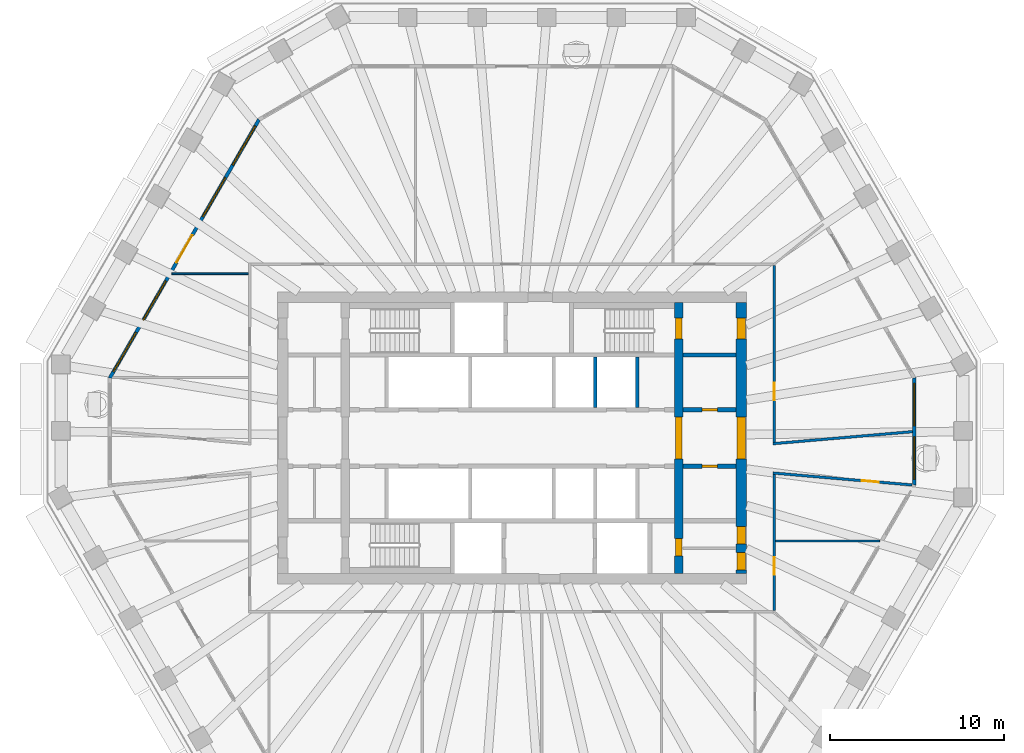
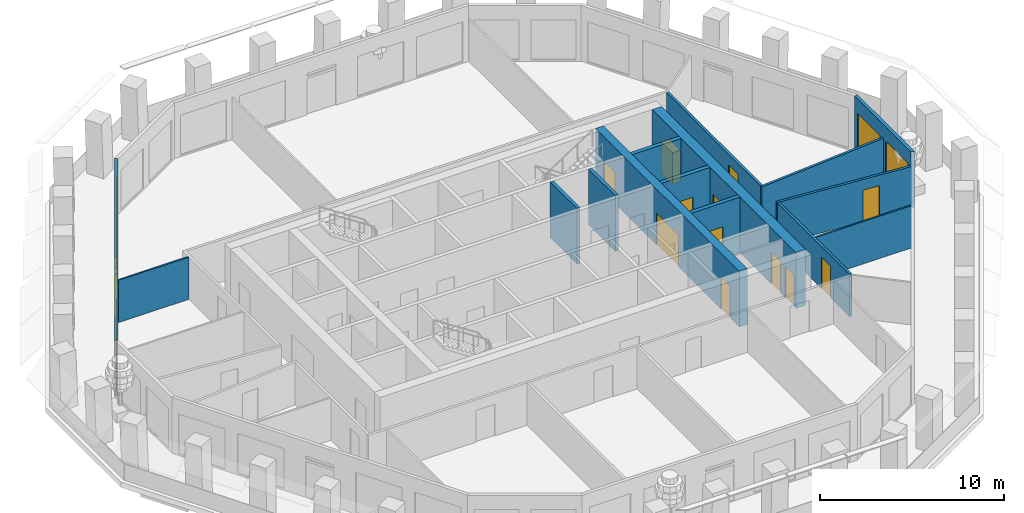
# One storey, part 6 of 12: 15 walls, 13 doors, 7 windows, 20 openings.
"""IFC4 building model written with IfcOpenShell, lengths in metres."""

from ifc_helpers import new_model, si_unit, direction, frame, frame_2d, origin, place, context, subcontext, project, spatial, polyline, rectangle, outline, extrude, material, layer, layer_set, type_object, element, fill, save


model = new_model("IFC4")

# Units and contexts
model_context = context("Model", 3, precision=1e-05, world=origin(), true_north=direction((0.0, 1.0)))
body_context = subcontext(model_context, "Body", "Model", "MODEL_VIEW")
ifc_project = project(units=[si_unit("LENGTHUNIT", "METRE"), si_unit("AREAUNIT", "SQUARE_METRE"), si_unit("VOLUMEUNIT", "CUBIC_METRE"), si_unit("PLANEANGLEUNIT", "RADIAN"), si_unit("MASSUNIT", "GRAM", prefix="KILO")], contexts=[model_context])

# Site, building, storey
site_placement = place(None, origin())
site = spatial("IfcSite", under=ifc_project, at=site_placement, CompositionType="ELEMENT")
building_placement = place(site_placement, origin())
building = spatial("IfcBuilding", under=site, at=building_placement, Name="Frailejon Research Tower", CompositionType="ELEMENT")
storey_placement = place(building_placement, frame((0.0, 0.0, 223.39990234375)))
storey = spatial("IfcBuildingStorey", under=building, at=storey_placement, Name="L48", CompositionType="ELEMENT", Elevation=223.39990234375)

# Wall, openings, doors
ifc_material_1 = material(Name="Concrete C60/75", Category="concrete")
ifc_layer_1 = layer(ifc_material_1, 0.5)
ifc_layer_set_1 = layer_set([ifc_layer_1], Name="Core shear wall 500 C60/75")
wall_type_1 = type_object("IfcWallType", Name="Core shear wall 500 C60/75", PredefinedType="SHEAR", material=ifc_layer_set_1)
wall_1_placement = place(storey_placement, frame((9.60009765625, -7.800048828125, 0.0), z_axis=(0.0, 0.0, 1.0), x_axis=(0.0, 1.0, 0.0)))
wall_1 = element("IfcWall", 1, at=wall_1_placement, inside=storey, type_object=wall_type_1, Name="Core shear wall", PredefinedType="SHEAR", context=body_context, shape_type="SweptSolid", body=[
    extrude(rectangle(XDim=15.60009765625, YDim=0.5, at=frame_2d((7.800048828125, 0.0))), origin(), (0.0, 0.0, 1.0), 3.7001953125),
])
opening_1_placement = place(wall_1_placement, frame((6.60009765625, 0.0, 0.0)))
opening_1 = element("IfcOpeningElement", 2, at=opening_1_placement, cuts=wall_1, Name="Opening D2", PredefinedType="OPENING", context=body_context, shape_type="SweptSolid", body=[
    extrude(rectangle(XDim=2.39990234375, YDim=2.10009765625, at=frame_2d((1.199951171875, 1.050048828125))), frame((0.0, 0.260009765625, 0.0), z_axis=(0.0, -1.0, 0.0), x_axis=(1.0, 0.0, 0.0)), (0.0, 0.0, 1.0), 0.52001953125),
])
opening_2_placement = place(wall_1_placement, frame((13.5, 0.0, 0.0)))
opening_2 = element("IfcOpeningElement", 3, at=opening_2_placement, cuts=wall_1, Name="Opening D1", PredefinedType="OPENING", context=body_context, shape_type="SweptSolid", body=[
    extrude(rectangle(XDim=1.199951171875, YDim=2.10009765625, at=frame_2d((0.60009765625, 1.050048828125))), frame((0.0, 0.260009765625, 0.0), z_axis=(0.0, -1.0, 0.0), x_axis=(1.0, 0.0, 0.0)), (0.0, 0.0, 1.0), 0.52001953125),
])
opening_3_placement = place(wall_1_placement, frame((1.0, 0.0, 0.0)))
opening_3 = element("IfcOpeningElement", 4, at=opening_3_placement, cuts=wall_1, Name="Opening D4", PredefinedType="OPENING", context=body_context, shape_type="SweptSolid", body=[
    extrude(rectangle(XDim=1.0, YDim=2.10009765625, at=frame_2d((0.5, 1.050048828125))), frame((0.0, 0.260009765625, 0.0), z_axis=(0.0, -1.0, 0.0), x_axis=(1.0, 0.0, 0.0)), (0.0, 0.0, 1.0), 0.52001953125),
])
ifc_material_2 = material(Name="Steel", Category="steel")
door_type_1 = type_object("IfcDoorType", Name="Lobby double door", OperationType="DOUBLE_DOOR_SINGLE_SWING", PredefinedType="DOOR", material=ifc_material_2)
door_1_placement = place(opening_1_placement, origin())
door_1 = element("IfcDoor", 5, at=door_1_placement, inside=storey, type_object=door_type_1, Name="Lobby door", OperationType="DOUBLE_DOOR_SINGLE_SWING", OverallHeight=2.10009765625, OverallWidth=2.39990234375, PredefinedType="DOOR", context=body_context, shape_type="SweptSolid", body=[
    extrude(rectangle(XDim=2.39990234375, YDim=2.10009765625, at=frame_2d((1.199951171875, 1.050048828125))), frame((0.0, 0.199951171875, 0.0), z_axis=(0.0, -1.0, 0.0), x_axis=(1.0, 0.0, 0.0)), (0.0, 0.0, 1.0), 0.39990234375),
])
fill(opening_1, door_1)
ifc_material_3 = material(Name="Steel", Category="steel")
door_type_2 = type_object("IfcDoorType", Name="Service door", OperationType="SINGLE_SWING_LEFT", PredefinedType="DOOR", material=ifc_material_3)
door_2_placement = place(opening_3_placement, origin())
door_2 = element("IfcDoor", 6, at=door_2_placement, inside=storey, type_object=door_type_2, Name="Riser door", OperationType="SINGLE_SWING_RIGHT", OverallHeight=2.10009765625, OverallWidth=1.0, PredefinedType="DOOR", context=body_context, shape_type="SweptSolid", body=[
    extrude(rectangle(XDim=1.0, YDim=2.10009765625, at=frame_2d((0.5, 1.050048828125))), frame((0.0, 0.199951171875, 0.0), z_axis=(0.0, -1.0, 0.0), x_axis=(1.0, 0.0, 0.0)), (0.0, 0.0, 1.0), 0.39990234375),
])
fill(opening_3, door_2)
ifc_material_4 = material(Name="Steel", Category="steel")
door_type_3 = type_object("IfcDoorType", Name="Stair door", OperationType="SINGLE_SWING_LEFT", PredefinedType="DOOR", material=ifc_material_4)
door_3_placement = place(opening_2_placement, origin())
door_3 = element("IfcDoor", 7, at=door_3_placement, inside=storey, type_object=door_type_3, Name="Stair door ST3", OperationType="SINGLE_SWING_RIGHT", OverallHeight=2.10009765625, OverallWidth=1.199951171875, PredefinedType="DOOR", context=body_context, shape_type="SweptSolid", body=[
    extrude(rectangle(XDim=1.199951171875, YDim=2.10009765625, at=frame_2d((0.60009765625, 1.050048828125))), frame((0.0, 0.199951171875, 0.0), z_axis=(0.0, -1.0, 0.0), x_axis=(1.0, 0.0, 0.0)), (0.0, 0.0, 1.0), 0.39990234375),
])
fill(opening_2, door_3)

ifc_material_5 = material(Name="Concrete C60/75", Category="concrete")
ifc_layer_2 = layer(ifc_material_5, 0.60009765625)
ifc_layer_set_2 = layer_set([ifc_layer_2], Name="Core shear wall 600 C60/75")
wall_type_2 = type_object("IfcWallType", Name="Core shear wall 600 C60/75", PredefinedType="SHEAR", material=ifc_layer_set_2)
wall_2_placement = place(storey_placement, frame((13.199951171875, -7.800048828125, 0.0), z_axis=(0.0, 0.0, 1.0), x_axis=(0.0, 1.0, 0.0)))
wall_2 = element("IfcWall", 8, at=wall_2_placement, inside=storey, type_object=wall_type_2, Name="Core shear wall", PredefinedType="SHEAR", context=body_context, shape_type="SweptSolid", body=[
    extrude(rectangle(XDim=15.60009765625, YDim=0.60009765625, at=frame_2d((7.800048828125, 0.0))), origin(), (0.0, 0.0, 1.0), 3.7001953125),
])
opening_4_placement = place(wall_2_placement, frame((6.60009765625, 0.0, 0.0)))
opening_4 = element("IfcOpeningElement", 9, at=opening_4_placement, cuts=wall_2, Name="Opening D2", PredefinedType="OPENING", context=body_context, shape_type="SweptSolid", body=[
    extrude(rectangle(XDim=2.39990234375, YDim=2.10009765625, at=frame_2d((1.199951171875, 1.050048828125))), frame((0.0, 0.31005859375, 0.0), z_axis=(0.0, -1.0, 0.0), x_axis=(1.0, 0.0, 0.0)), (0.0, 0.0, 1.0), 0.6201171875),
])
opening_5_placement = place(wall_2_placement, frame((13.5, 0.0, 0.0)))
opening_5 = element("IfcOpeningElement", 10, at=opening_5_placement, cuts=wall_2, Name="Opening D7", PredefinedType="OPENING", context=body_context, shape_type="SweptSolid", body=[
    extrude(rectangle(XDim=1.199951171875, YDim=2.10009765625, at=frame_2d((0.60009765625, 1.050048828125))), frame((0.0, 0.31005859375, 0.0), z_axis=(0.0, -1.0, 0.0), x_axis=(1.0, 0.0, 0.0)), (0.0, 0.0, 1.0), 0.6201171875),
])
opening_6_placement = place(wall_2_placement, frame((0.19384765625, 0.0, 0.0)))
opening_6 = element("IfcOpeningElement", 11, at=opening_6_placement, cuts=wall_2, Name="Opening D4", PredefinedType="OPENING", context=body_context, shape_type="SweptSolid", body=[
    extrude(rectangle(XDim=1.0, YDim=2.10009765625, at=frame_2d((0.5, 1.050048828125))), frame((0.0, 0.31005859375, 0.0), z_axis=(0.0, -1.0, 0.0), x_axis=(1.0, 0.0, 0.0)), (0.0, 0.0, 1.0), 0.6201171875),
])
opening_7_placement = place(wall_2_placement, frame((1.706298828125, 0.0, 0.0)))
opening_7 = element("IfcOpeningElement", 12, at=opening_7_placement, cuts=wall_2, Name="Opening D4", PredefinedType="OPENING", context=body_context, shape_type="SweptSolid", body=[
    extrude(rectangle(XDim=1.0, YDim=2.10009765625, at=frame_2d((0.5, 1.050048828125))), frame((0.0, 0.31005859375, 0.0), z_axis=(0.0, -1.0, 0.0), x_axis=(1.0, 0.0, 0.0)), (0.0, 0.0, 1.0), 0.6201171875),
])
door_4_placement = place(opening_4_placement, origin())
door_4 = element("IfcDoor", 13, at=door_4_placement, inside=storey, type_object=door_type_1, Name="Lobby door", OperationType="DOUBLE_DOOR_SINGLE_SWING", OverallHeight=2.10009765625, OverallWidth=2.39990234375, PredefinedType="DOOR", context=body_context, shape_type="SweptSolid", body=[
    extrude(rectangle(XDim=2.39990234375, YDim=2.10009765625, at=frame_2d((1.199951171875, 1.050048828125))), frame((0.0, 0.25, 0.0), z_axis=(0.0, -1.0, 0.0), x_axis=(1.0, 0.0, 0.0)), (0.0, 0.0, 1.0), 0.5),
])
fill(opening_4, door_4)
door_5_placement = place(opening_6_placement, origin())
door_5 = element("IfcDoor", 14, at=door_5_placement, inside=storey, type_object=door_type_2, Name="Store door", OperationType="SINGLE_SWING_LEFT", OverallHeight=2.10009765625, OverallWidth=1.0, PredefinedType="DOOR", context=body_context, shape_type="SweptSolid", body=[
    extrude(rectangle(XDim=1.0, YDim=2.10009765625, at=frame_2d((0.5, 1.050048828125))), frame((0.0, 0.25, 0.0), z_axis=(0.0, -1.0, 0.0), x_axis=(1.0, 0.0, 0.0)), (0.0, 0.0, 1.0), 0.5),
])
fill(opening_6, door_5)
door_6_placement = place(opening_7_placement, origin())
door_6 = element("IfcDoor", 15, at=door_6_placement, inside=storey, type_object=door_type_2, Name="Store door", OperationType="SINGLE_SWING_RIGHT", OverallHeight=2.10009765625, OverallWidth=1.0, PredefinedType="DOOR", context=body_context, shape_type="SweptSolid", body=[
    extrude(rectangle(XDim=1.0, YDim=2.10009765625, at=frame_2d((0.5, 1.050048828125))), frame((0.0, 0.25, 0.0), z_axis=(0.0, -1.0, 0.0), x_axis=(1.0, 0.0, 0.0)), (0.0, 0.0, 1.0), 0.5),
])
fill(opening_7, door_6)
ifc_material_6 = material(Name="Steel", Category="steel")
door_type_4 = type_object("IfcDoorType", Name="Stair exit door", OperationType="SINGLE_SWING_LEFT", PredefinedType="DOOR", material=ifc_material_6)
door_7_placement = place(opening_5_placement, origin())
door_7 = element("IfcDoor", 16, at=door_7_placement, inside=storey, type_object=door_type_4, Name="Stair exit door ST3", OperationType="SINGLE_SWING_LEFT", OverallHeight=2.10009765625, OverallWidth=1.199951171875, PredefinedType="DOOR", context=body_context, shape_type="SweptSolid", body=[
    extrude(rectangle(XDim=1.199951171875, YDim=2.10009765625, at=frame_2d((0.60009765625, 1.050048828125))), frame((0.0, 0.25, 0.0), z_axis=(0.0, -1.0, 0.0), x_axis=(1.0, 0.0, 0.0)), (0.0, 0.0, 1.0), 0.5),
])
fill(opening_5, door_7)

# Wall, opening, door
ifc_material_7 = material(Name="Gypsum board and masonry partition", Category="masonry")
ifc_layer_3 = layer(ifc_material_7, 0.14990234375)
ifc_layer_set_3 = layer_set([ifc_layer_3], Name="Corridor wall EI 60, gypsum on steel studs 150")
wall_type_3 = type_object("IfcWallType", Name="Corridor wall EI 60, gypsum on steel studs 150", PredefinedType="PARTITIONING", material=ifc_layer_set_3)
wall_3_placement = place(storey_placement, frame((15.10009765625, -9.925048828125, 0.0), z_axis=(0.0, 0.0, 1.0), x_axis=(0.0, 1.0, 0.0)))
wall_3 = element("IfcWall", 17, at=wall_3_placement, inside=storey, type_object=wall_type_3, Name="T:IW:L48:001", PredefinedType="PARTITIONING", context=body_context, shape_type="SweptSolid", body=[
    extrude(rectangle(XDim=7.825439453125, YDim=0.14990234375, at=frame_2d((3.91259765625, 0.0))), origin(), (0.0, 0.0, 1.0), 2.800048828125),
])
opening_8_placement = place(wall_3_placement, frame((2.048095703125, 0.0, 0.0)))
opening_8 = element("IfcOpeningElement", 18, at=opening_8_placement, cuts=wall_3, Name="Opening D1989", PredefinedType="OPENING", context=body_context, shape_type="SweptSolid", body=[
    extrude(rectangle(XDim=1.0, YDim=2.10009765625, at=frame_2d((0.5, 1.050048828125))), frame((0.0, 0.0849609375, 0.0), z_axis=(0.0, -1.0, 0.0), x_axis=(1.0, 0.0, 0.0)), (0.0, 0.0, 1.0), 0.169921875),
])
ifc_material_8 = material(Name="Timber door leaf", Category="wood")
door_type_5 = type_object("IfcDoorType", Name="Door single leaf, timber, steel frame 1000", OperationType="NOTDEFINED", PredefinedType="DOOR", material=ifc_material_8)
door_8_placement = place(opening_8_placement, origin())
door_8 = element("IfcDoor", 19, at=door_8_placement, inside=storey, type_object=door_type_5, Name="D1989", OperationType="SINGLE_SWING_LEFT", OverallHeight=2.10009765625, OverallWidth=1.0, PredefinedType="DOOR", context=body_context, shape_type="SweptSolid", body=[
    extrude(rectangle(XDim=1.0, YDim=2.10009765625, at=frame_2d((0.5, 1.050048828125))), frame((0.0, 0.02490234375, 0.0), z_axis=(0.0, -1.0, 0.0), x_axis=(1.0, 0.0, 0.0)), (0.0, 0.0, 1.0), 0.050048828125),
])
fill(opening_8, door_8)

wall_4_placement = place(storey_placement, frame((15.10009765625, -0.24951171875, 0.0), z_axis=(0.0, 0.0, 1.0), x_axis=(0.0, 1.0, 0.0)))
wall_4 = element("IfcWall", 20, at=wall_4_placement, inside=storey, type_object=wall_type_3, Name="T:IW:L48:002", PredefinedType="PARTITIONING", context=body_context, shape_type="SweptSolid", body=[
    extrude(rectangle(XDim=10.174560546875, YDim=0.14990234375, at=frame_2d((5.08740234375, 0.0))), origin(), (0.0, 0.0, 1.0), 2.800048828125),
])
opening_9_placement = place(wall_4_placement, frame((2.43115234375, 0.0, 0.0)))
opening_9 = element("IfcOpeningElement", 21, at=opening_9_placement, cuts=wall_4, Name="Opening D1976", PredefinedType="OPENING", context=body_context, shape_type="SweptSolid", body=[
    extrude(rectangle(XDim=1.0, YDim=2.10009765625, at=frame_2d((0.5, 1.050048828125))), frame((0.0, 0.0849609375, 0.0), z_axis=(0.0, -1.0, 0.0), x_axis=(1.0, 0.0, 0.0)), (0.0, 0.0, 1.0), 0.169921875),
])
door_9_placement = place(opening_9_placement, origin())
door_9 = element("IfcDoor", 22, at=door_9_placement, inside=storey, type_object=door_type_5, Name="D1976", OperationType="SINGLE_SWING_LEFT", OverallHeight=2.10009765625, OverallWidth=1.0, PredefinedType="DOOR", context=body_context, shape_type="SweptSolid", body=[
    extrude(rectangle(XDim=1.0, YDim=2.10009765625, at=frame_2d((0.5, 1.050048828125))), frame((0.0, 0.02490234375, 0.0), z_axis=(0.0, -1.0, 0.0), x_axis=(1.0, 0.0, 0.0)), (0.0, 0.0, 1.0), 0.050048828125),
])
fill(opening_9, door_9)

# Wall
wall_5_placement = place(storey_placement, frame((15.025390625, -0.330810546875, 0.0), z_axis=(0.0, 0.0, 1.0), x_axis=(0.996318303702, 0.085731194488, 0.0)))
element("IfcWall", 23, at=wall_5_placement, inside=storey, type_object=wall_type_3, Name="T:IW:L48:009", PredefinedType="PARTITIONING", context=body_context, shape_type="SweptSolid", body=[
    extrude(rectangle(XDim=8.05615234375, YDim=0.14990234375, at=frame_2d((4.028076171875, 0.0))), origin(), (0.0, 0.0, 1.0), 2.800048828125),
])

# Wall, opening, door
wall_6_placement = place(storey_placement, frame((15.025390625, -2.01806640625, 0.0), z_axis=(0.0, 0.0, 1.0), x_axis=(0.99631556311, -0.085763038105, 0.0)))
wall_6 = element("IfcWall", 24, at=wall_6_placement, inside=storey, type_object=wall_type_3, Name="T:IW:L48:010", PredefinedType="PARTITIONING", context=body_context, shape_type="SweptSolid", body=[
    extrude(rectangle(XDim=8.0361328125, YDim=0.14990234375, at=frame_2d((4.01806640625, 0.0))), origin(), (0.0, 0.0, 1.0), 2.800048828125),
])
opening_10_placement = place(wall_6_placement, frame((5.12109375, 0.0, 0.0)))
opening_10 = element("IfcOpeningElement", 25, at=opening_10_placement, cuts=wall_6, Name="Opening D1990", PredefinedType="OPENING", context=body_context, shape_type="SweptSolid", body=[
    extrude(rectangle(XDim=1.0, YDim=2.10009765625, at=frame_2d((0.5, 1.050048828125))), frame((0.0, 0.0849609375, 0.0), z_axis=(0.0, -1.0, 0.0), x_axis=(1.0, 0.0, 0.0)), (0.0, 0.0, 1.0), 0.169921875),
])
door_10_placement = place(opening_10_placement, origin())
door_10 = element("IfcDoor", 26, at=door_10_placement, inside=storey, type_object=door_type_5, Name="D1990", OperationType="SINGLE_SWING_LEFT", OverallHeight=2.10009765625, OverallWidth=1.0, PredefinedType="DOOR", context=body_context, shape_type="SweptSolid", body=[
    extrude(rectangle(XDim=1.0, YDim=2.10009765625, at=frame_2d((0.5, 1.050048828125))), frame((0.0, 0.02490234375, 0.0), z_axis=(0.0, -1.0, 0.0), x_axis=(1.0, 0.0, 0.0)), (0.0, 0.0, 1.0), 0.050048828125),
])
fill(opening_10, door_10)

# Walls
ifc_material_9 = material(Name="Gypsum board and masonry partition", Category="masonry")
ifc_layer_4 = layer(ifc_material_9, 0.10009765625)
ifc_layer_set_4 = layer_set([ifc_layer_4], Name="Partition, gypsum on steel studs 100")
wall_type_4 = type_object("IfcWallType", Name="Partition, gypsum on steel studs 100", PredefinedType="PARTITIONING", material=ifc_layer_set_4)
wall_7_placement = place(storey_placement, frame((-19.576416015625, 9.447021484375, 0.0), z_axis=(0.0, 0.0, 1.0), x_axis=(1.0, 0.0, 0.0)))
element("IfcWall", 27, at=wall_7_placement, inside=storey, type_object=wall_type_4, Name="T:IW:L48:016", PredefinedType="PARTITIONING", context=body_context, shape_type="SweptSolid", body=[
    extrude(rectangle(XDim=4.4013671875, YDim=0.10009765625, at=frame_2d((2.20068359375, 0.0))), origin(), (0.0, 0.0, 1.0), 2.800048828125),
])
wall_8_placement = place(storey_placement, frame((15.175048828125, -5.935791015625, 0.0), z_axis=(0.0, 0.0, 1.0), x_axis=(1.0, 0.0, 0.0)))
element("IfcWall", 28, at=wall_8_placement, inside=storey, type_object=wall_type_4, Name="T:IW:L48:019", PredefinedType="PARTITIONING", context=body_context, shape_type="SweptSolid", body=[
    extrude(rectangle(XDim=5.9931640625, YDim=0.10009765625, at=frame_2d((2.99658203125, 0.0))), origin(), (0.0, 0.0, 1.0), 2.800048828125),
])
ifc_material_10 = material(Name="Concrete C60/75", Category="concrete")
ifc_layer_5 = layer(ifc_material_10, 0.199951171875)
ifc_layer_set_5 = layer_set([ifc_layer_5], Name="Shaft wall 200 C60/75")
wall_type_5 = type_object("IfcWallType", Name="Shaft wall 200 C60/75", PredefinedType="SOLIDWALL", material=ifc_layer_set_5)
for number, where, z_axis, x_axis, name in (
    (29, (4.800048828125, 1.75, 0.0), (0.0, 0.0, 1.0), (0.0, 1.0, 0.0), "Shaft wall"),
    (30, (7.199951171875, 1.75, 0.0), (0.0, 0.0, 1.0), (0.0, 1.0, 0.0), "Shaft wall"),
):
    element("IfcWall", number, at=place(storey_placement, frame(where, z_axis=z_axis, x_axis=x_axis)), inside=storey, type_object=wall_type_5, Name=name, PredefinedType="SOLIDWALL", context=body_context, shape_type="SweptSolid", body=[
        extrude(rectangle(XDim=2.89990234375, YDim=0.199951171875, at=frame_2d((1.449951171875, 0.0))), origin(), (0.0, 0.0, 1.0), 3.7001953125),
    ])

# Wall, opening, door
ifc_material_11 = material(Name="Concrete C60/75", Category="concrete")
ifc_layer_6 = layer(ifc_material_11, 0.25)
ifc_layer_set_6 = layer_set([ifc_layer_6], Name="Shaft wall 250 C60/75")
wall_type_6 = type_object("IfcWallType", Name="Shaft wall 250 C60/75", PredefinedType="SOLIDWALL", material=ifc_layer_set_6)
wall_9_placement = place(storey_placement, frame((9.85009765625, 1.625, 0.0), z_axis=(0.0, 0.0, 1.0), x_axis=(1.0, 0.0, 0.0)))
wall_9 = element("IfcWall", 31, at=wall_9_placement, inside=storey, type_object=wall_type_6, Name="Shaft wall", PredefinedType="SOLIDWALL", context=body_context, shape_type="SweptSolid", body=[
    extrude(rectangle(XDim=3.0498046875, YDim=0.25, at=frame_2d((1.52490234375, 0.0))), origin(), (0.0, 0.0, 1.0), 3.7001953125),
])
opening_11_placement = place(wall_9_placement, frame((1.074951171875, 0.0, 0.0)))
opening_11 = element("IfcOpeningElement", 32, at=opening_11_placement, cuts=wall_9, Name="Opening D8", PredefinedType="OPENING", context=body_context, shape_type="SweptSolid", body=[
    extrude(rectangle(XDim=0.89990234375, YDim=2.10009765625, at=frame_2d((0.449951171875, 1.050048828125))), frame((0.0, 0.135009765625, 0.0), z_axis=(0.0, -1.0, 0.0), x_axis=(1.0, 0.0, 0.0)), (0.0, 0.0, 1.0), 0.27001953125),
])
ifc_material_12 = material(Name="Steel", Category="steel")
door_type_6 = type_object("IfcDoorType", Name="Core room door", OperationType="SINGLE_SWING_LEFT", PredefinedType="DOOR", material=ifc_material_12)
door_11_placement = place(opening_11_placement, origin())
door_11 = element("IfcDoor", 33, at=door_11_placement, inside=storey, type_object=door_type_6, Name="Room door", OperationType="SINGLE_SWING_LEFT", OverallHeight=2.10009765625, OverallWidth=0.89990234375, PredefinedType="DOOR", context=body_context, shape_type="SweptSolid", body=[
    extrude(rectangle(XDim=0.89990234375, YDim=2.10009765625, at=frame_2d((0.449951171875, 1.050048828125))), frame((0.0, 0.074951171875, 0.0), z_axis=(0.0, -1.0, 0.0), x_axis=(1.0, 0.0, 0.0)), (0.0, 0.0, 1.0), 0.14990234375),
])
fill(opening_11, door_11)

# Wall
wall_10_placement = place(storey_placement, frame((9.85009765625, 4.77490234375, 0.0), z_axis=(0.0, 0.0, 1.0), x_axis=(1.0, 0.0, 0.0)))
element("IfcWall", 34, at=wall_10_placement, inside=storey, type_object=wall_type_6, Name="Shaft wall", PredefinedType="SOLIDWALL", context=body_context, shape_type="SweptSolid", body=[
    extrude(rectangle(XDim=3.0498046875, YDim=0.25, at=frame_2d((1.52490234375, 0.0))), origin(), (0.0, 0.0, 1.0), 3.7001953125),
])

# Wall, opening, door
wall_11_placement = place(storey_placement, frame((9.85009765625, -1.625, 0.0), z_axis=(0.0, 0.0, 1.0), x_axis=(1.0, 0.0, 0.0)))
wall_11 = element("IfcWall", 35, at=wall_11_placement, inside=storey, type_object=wall_type_6, Name="Shaft wall", PredefinedType="SOLIDWALL", context=body_context, shape_type="SweptSolid", body=[
    extrude(rectangle(XDim=3.0498046875, YDim=0.25, at=frame_2d((1.52490234375, 0.0))), origin(), (0.0, 0.0, 1.0), 3.7001953125),
])
opening_12_placement = place(wall_11_placement, frame((1.074951171875, 0.0, 0.0)))
opening_12 = element("IfcOpeningElement", 36, at=opening_12_placement, cuts=wall_11, Name="Opening D8", PredefinedType="OPENING", context=body_context, shape_type="SweptSolid", body=[
    extrude(rectangle(XDim=0.89990234375, YDim=2.10009765625, at=frame_2d((0.449951171875, 1.050048828125))), frame((0.0, 0.135009765625, 0.0), z_axis=(0.0, -1.0, 0.0), x_axis=(1.0, 0.0, 0.0)), (0.0, 0.0, 1.0), 0.27001953125),
])
door_12_placement = place(opening_12_placement, origin())
door_12 = element("IfcDoor", 37, at=door_12_placement, inside=storey, type_object=door_type_6, Name="Room door", OperationType="SINGLE_SWING_RIGHT", OverallHeight=2.10009765625, OverallWidth=0.89990234375, PredefinedType="DOOR", context=body_context, shape_type="SweptSolid", body=[
    extrude(rectangle(XDim=0.89990234375, YDim=2.10009765625, at=frame_2d((0.449951171875, 1.050048828125))), frame((0.0, 0.074951171875, 0.0), z_axis=(0.0, -1.0, 0.0), x_axis=(1.0, 0.0, 0.0)), (0.0, 0.0, 1.0), 0.14990234375),
])
fill(opening_12, door_12)

# Wall, openings, windows
ifc_material_13 = material(Name="Concrete C40/50 precast window wall panel", Category="concrete")
ifc_layer_7 = layer(ifc_material_13, 0.199951171875)
ifc_layer_set_7 = layer_set([ifc_layer_7], Name="Window wall 200")
wall_type_7 = type_object("IfcWallType", Name="Window wall 200", PredefinedType="SOLIDWALL", material=ifc_layer_set_7)
wall_12_placement = place(storey_placement, frame((23.152099609375, -2.69921875, 0.0), z_axis=(0.0, 0.0, 1.0), x_axis=(0.0, 1.0, 0.0)))
wall_12 = element("IfcWall", 38, at=wall_12_placement, inside=storey, type_object=wall_type_7, Name="Exterior wall L48", PredefinedType="SOLIDWALL", context=body_context, shape_type="SweptSolid", body=[
    extrude(outline(polyline([(-0.02685546875, -0.10009765625), (1.007568359375, -0.10009765625), (2.0419921875, -0.10009765625), (3.076416015625, -0.10009765625), (4.11083984375, -0.10009765625), (5.145263671875, -0.10009765625), (6.1796875, -0.10009765625), (6.1259765625, 0.10009765625), (5.109375, 0.10009765625), (4.093017578125, 0.10009765625), (3.076416015625, 0.10009765625), (2.059814453125, 0.10009765625), (1.04345703125, 0.10009765625), (0.02685546875, 0.10009765625), (-0.02685546875, -0.10009765625)])), origin(), (0.0, 0.0, 1.0), 3.7001953125),
])
opening_13_placement = place(wall_12_placement, frame((0.313232421875, 0.0, 0.10009765625)))
opening_13 = element("IfcOpeningElement", 39, at=opening_13_placement, cuts=wall_12, Name="Opening W17", PredefinedType="OPENING", context=body_context, shape_type="SweptSolid", body=[
    extrude(rectangle(XDim=2.449951171875, YDim=2.64990234375, at=frame_2d((1.22509765625, 1.324951171875))), frame((0.0, 0.10986328125, 0.0), z_axis=(0.0, -1.0, 0.0), x_axis=(1.0, 0.0, 0.0)), (0.0, 0.0, 1.0), 0.219970703125),
])
opening_14_placement = place(wall_12_placement, frame((3.3896484375, 0.0, 0.10009765625)))
opening_14 = element("IfcOpeningElement", 40, at=opening_14_placement, cuts=wall_12, Name="Opening W17", PredefinedType="OPENING", context=body_context, shape_type="SweptSolid", body=[
    extrude(rectangle(XDim=2.449951171875, YDim=2.64990234375, at=frame_2d((1.22509765625, 1.324951171875))), frame((0.0, 0.10986328125, 0.0), z_axis=(0.0, -1.0, 0.0), x_axis=(1.0, 0.0, 0.0)), (0.0, 0.0, 1.0), 0.219970703125),
])
ifc_material_14 = material(Name="Aluminium framed double glazing", Category="aluminium")
window_type_1 = type_object("IfcWindowType", Name="Window 2450x2650", PartitioningType="SINGLE_PANEL", PredefinedType="WINDOW", material=ifc_material_14)
window_1_placement = place(opening_13_placement, origin())
window_1 = element("IfcWindow", 41, at=window_1_placement, inside=storey, type_object=window_type_1, Name="Window L48", OverallHeight=2.64990234375, OverallWidth=2.449951171875, PartitioningType="SINGLE_PANEL", PredefinedType="WINDOW", context=body_context, shape_type="SweptSolid", body=[
    extrude(rectangle(XDim=2.449951171875, YDim=2.64990234375, at=frame_2d((1.22509765625, 1.324951171875))), frame((0.0, 0.030029296875, 0.0), z_axis=(0.0, -1.0, 0.0), x_axis=(1.0, 0.0, 0.0)), (0.0, 0.0, 1.0), 0.06005859375),
])
fill(opening_13, window_1)
window_2_placement = place(opening_14_placement, origin())
window_2 = element("IfcWindow", 42, at=window_2_placement, inside=storey, type_object=window_type_1, Name="Window L48", OverallHeight=2.64990234375, OverallWidth=2.449951171875, PartitioningType="SINGLE_PANEL", PredefinedType="WINDOW", context=body_context, shape_type="SweptSolid", body=[
    extrude(rectangle(XDim=2.449951171875, YDim=2.64990234375, at=frame_2d((1.22509765625, 1.324951171875))), frame((0.0, 0.030029296875, 0.0), z_axis=(0.0, -1.0, 0.0), x_axis=(1.0, 0.0, 0.0)), (0.0, 0.0, 1.0), 0.06005859375),
])
fill(opening_14, window_2)

# Wall, openings, door, windows
wall_13_placement = place(storey_placement, frame((-14.56689453125, 18.323486328125, 0.0), z_axis=(0.0, 0.0, 1.0), x_axis=(-0.5000034888, -0.866023389516, 0.0)))
wall_13 = element("IfcWall", 43, at=wall_13_placement, inside=storey, type_object=wall_type_7, Name="Exterior wall L48", PredefinedType="SOLIDWALL", context=body_context, shape_type="SweptSolid", body=[
    extrude(outline(polyline([(-0.02685546875, -0.10009765625), (0.986328125, -0.10009765625), (1.99951171875, -0.10009765625), (3.0126953125, -0.10009765625), (4.02587890625, -0.10009765625), (5.0390625, -0.10009765625), (6.05224609375, -0.10009765625), (7.0654296875, -0.10009765625), (8.07861328125, -0.10009765625), (9.091796875, -0.10009765625), (10.10498046875, -0.10009765625), (11.1181640625, -0.10009765625), (12.13134765625, -0.10009765625), (13.14453125, -0.10009765625), (14.15771484375, -0.10009765625), (15.1708984375, -0.10009765625), (16.18408203125, -0.10009765625), (17.197265625, -0.10009765625), (17.1435546875, 0.10009765625), (16.13671875, 0.10009765625), (15.1298828125, 0.10009765625), (14.123046875, 0.10009765625), (13.1162109375, 0.10009765625), (12.109130859375, 0.10009765625), (11.102294921875, 0.10009765625), (10.095458984375, 0.10009765625), (9.088623046875, 0.10009765625), (8.081787109375, 0.10009765625), (7.074951171875, 0.10009765625), (6.068115234375, 0.10009765625), (5.061279296875, 0.10009765625), (4.05419921875, 0.10009765625), (3.04736328125, 0.10009765625), (2.04052734375, 0.10009765625), (1.03369140625, 0.10009765625), (0.02685546875, 0.10009765625), (-0.02685546875, -0.10009765625)])), origin(), (0.0, 0.0, 1.0), 3.7001953125),
])
opening_15_placement = place(wall_13_placement, frame((0.4169921875, 0.0, 0.10009765625)))
opening_15 = element("IfcOpeningElement", 44, at=opening_15_placement, cuts=wall_13, Name="Opening W18", PredefinedType="OPENING", context=body_context, shape_type="SweptSolid", body=[
    extrude(rectangle(XDim=2.60009765625, YDim=2.64990234375, at=frame_2d((1.300048828125, 1.324951171875))), frame((0.0, 0.10986328125, 0.0), z_axis=(0.0, -1.0, 0.0), x_axis=(1.0, 0.0, 0.0)), (0.0, 0.0, 1.0), 0.219970703125),
])
opening_16_placement = place(wall_13_placement, frame((3.85107421875, 0.0, 0.10009765625)))
opening_16 = element("IfcOpeningElement", 45, at=opening_16_placement, cuts=wall_13, Name="Opening W18", PredefinedType="OPENING", context=body_context, shape_type="SweptSolid", body=[
    extrude(rectangle(XDim=2.60009765625, YDim=2.64990234375, at=frame_2d((1.300048828125, 1.324951171875))), frame((0.0, 0.10986328125, 0.0), z_axis=(0.0, -1.0, 0.0), x_axis=(1.0, 0.0, 0.0)), (0.0, 0.0, 1.0), 0.219970703125),
])
opening_17_placement = place(wall_13_placement, frame((7.685302734375, 0.0, 0.0)))
opening_17 = element("IfcOpeningElement", 46, at=opening_17_placement, cuts=wall_13, Name="Opening LG48-3", PredefinedType="OPENING", context=body_context, shape_type="SweptSolid", body=[
    extrude(rectangle(XDim=1.800048828125, YDim=2.39990234375, at=frame_2d((0.89990234375, 1.199951171875))), frame((0.0, 0.10986328125, 0.0), z_axis=(0.0, -1.0, 0.0), x_axis=(1.0, 0.0, 0.0)), (0.0, 0.0, 1.0), 0.219970703125),
])
opening_18_placement = place(wall_13_placement, frame((7.685302734375, 0.0, 2.550048828125)))
opening_18 = element("IfcOpeningElement", 47, at=opening_18_placement, cuts=wall_13, Name="Opening W19", PredefinedType="OPENING", context=body_context, shape_type="SweptSolid", body=[
    extrude(rectangle(XDim=1.800048828125, YDim=0.199951171875, at=frame_2d((0.89990234375, 0.10009765625))), frame((0.0, 0.10986328125, 0.0), z_axis=(0.0, -1.0, 0.0), x_axis=(1.0, 0.0, 0.0)), (0.0, 0.0, 1.0), 0.219970703125),
])
opening_19_placement = place(wall_13_placement, frame((10.71923828125, 0.0, 0.10009765625)))
opening_19 = element("IfcOpeningElement", 48, at=opening_19_placement, cuts=wall_13, Name="Opening W18", PredefinedType="OPENING", context=body_context, shape_type="SweptSolid", body=[
    extrude(rectangle(XDim=2.60009765625, YDim=2.64990234375, at=frame_2d((1.300048828125, 1.324951171875))), frame((0.0, 0.10986328125, 0.0), z_axis=(0.0, -1.0, 0.0), x_axis=(1.0, 0.0, 0.0)), (0.0, 0.0, 1.0), 0.219970703125),
])
opening_20_placement = place(wall_13_placement, frame((14.1533203125, 0.0, 0.10009765625)))
opening_20 = element("IfcOpeningElement", 49, at=opening_20_placement, cuts=wall_13, Name="Opening W18", PredefinedType="OPENING", context=body_context, shape_type="SweptSolid", body=[
    extrude(rectangle(XDim=2.60009765625, YDim=2.64990234375, at=frame_2d((1.300048828125, 1.324951171875))), frame((0.0, 0.10986328125, 0.0), z_axis=(0.0, -1.0, 0.0), x_axis=(1.0, 0.0, 0.0)), (0.0, 0.0, 1.0), 0.219970703125),
])
ifc_material_15 = material(Name="Aluminium framed glazed door leaf", Category="aluminium")
door_type_7 = type_object("IfcDoorType", Name="Loggia door 1800x2400", OperationType="DOUBLE_DOOR_SINGLE_SWING", PredefinedType="DOOR", material=ifc_material_15)
door_13_placement = place(opening_17_placement, origin())
door_13 = element("IfcDoor", 50, at=door_13_placement, inside=storey, type_object=door_type_7, Name="Door LG48-3", OperationType="DOUBLE_DOOR_SINGLE_SWING", OverallHeight=2.39990234375, OverallWidth=1.800048828125, PredefinedType="DOOR", context=body_context, shape_type="SweptSolid", body=[
    extrude(rectangle(XDim=1.800048828125, YDim=2.39990234375, at=frame_2d((0.89990234375, 1.199951171875))), frame((0.0, 0.02490234375, 0.0), z_axis=(0.0, -1.0, 0.0), x_axis=(1.0, 0.0, 0.0)), (0.0, 0.0, 1.0), 0.050048828125),
])
fill(opening_17, door_13)
ifc_material_16 = material(Name="Aluminium framed double glazing", Category="aluminium")
window_type_2 = type_object("IfcWindowType", Name="Window 1800x200", PartitioningType="SINGLE_PANEL", PredefinedType="WINDOW", material=ifc_material_16)
window_3_placement = place(opening_18_placement, origin())
window_3 = element("IfcWindow", 51, at=window_3_placement, inside=storey, type_object=window_type_2, Name="Window L48", OverallHeight=0.199951171875, OverallWidth=1.800048828125, PartitioningType="SINGLE_PANEL", PredefinedType="WINDOW", context=body_context, shape_type="SweptSolid", body=[
    extrude(rectangle(XDim=1.800048828125, YDim=0.199951171875, at=frame_2d((0.89990234375, 0.10009765625))), frame((0.0, 0.030029296875, 0.0), z_axis=(0.0, -1.0, 0.0), x_axis=(1.0, 0.0, 0.0)), (0.0, 0.0, 1.0), 0.06005859375),
])
fill(opening_18, window_3)
ifc_material_17 = material(Name="Aluminium framed double glazing", Category="aluminium")
window_type_3 = type_object("IfcWindowType", Name="Window 2600x2650", PartitioningType="SINGLE_PANEL", PredefinedType="WINDOW", material=ifc_material_17)
window_4_placement = place(opening_15_placement, origin())
window_4 = element("IfcWindow", 52, at=window_4_placement, inside=storey, type_object=window_type_3, Name="Window L48", OverallHeight=2.64990234375, OverallWidth=2.60009765625, PartitioningType="SINGLE_PANEL", PredefinedType="WINDOW", context=body_context, shape_type="SweptSolid", body=[
    extrude(rectangle(XDim=2.60009765625, YDim=2.64990234375, at=frame_2d((1.300048828125, 1.324951171875))), frame((0.0, 0.030029296875, 0.0), z_axis=(0.0, -1.0, 0.0), x_axis=(1.0, 0.0, 0.0)), (0.0, 0.0, 1.0), 0.06005859375),
])
fill(opening_15, window_4)
window_5_placement = place(opening_16_placement, origin())
window_5 = element("IfcWindow", 53, at=window_5_placement, inside=storey, type_object=window_type_3, Name="Window L48", OverallHeight=2.64990234375, OverallWidth=2.60009765625, PartitioningType="SINGLE_PANEL", PredefinedType="WINDOW", context=body_context, shape_type="SweptSolid", body=[
    extrude(rectangle(XDim=2.60009765625, YDim=2.64990234375, at=frame_2d((1.300048828125, 1.324951171875))), frame((0.0, 0.030029296875, 0.0), z_axis=(0.0, -1.0, 0.0), x_axis=(1.0, 0.0, 0.0)), (0.0, 0.0, 1.0), 0.06005859375),
])
fill(opening_16, window_5)
window_6_placement = place(opening_19_placement, origin())
window_6 = element("IfcWindow", 54, at=window_6_placement, inside=storey, type_object=window_type_3, Name="Window L48", OverallHeight=2.64990234375, OverallWidth=2.60009765625, PartitioningType="SINGLE_PANEL", PredefinedType="WINDOW", context=body_context, shape_type="SweptSolid", body=[
    extrude(rectangle(XDim=2.60009765625, YDim=2.64990234375, at=frame_2d((1.300048828125, 1.324951171875))), frame((0.0, 0.030029296875, 0.0), z_axis=(0.0, -1.0, 0.0), x_axis=(1.0, 0.0, 0.0)), (0.0, 0.0, 1.0), 0.06005859375),
])
fill(opening_19, window_6)
window_7_placement = place(opening_20_placement, origin())
window_7 = element("IfcWindow", 55, at=window_7_placement, inside=storey, type_object=window_type_3, Name="Window L48", OverallHeight=2.64990234375, OverallWidth=2.60009765625, PartitioningType="SINGLE_PANEL", PredefinedType="WINDOW", context=body_context, shape_type="SweptSolid", body=[
    extrude(rectangle(XDim=2.60009765625, YDim=2.64990234375, at=frame_2d((1.300048828125, 1.324951171875))), frame((0.0, 0.030029296875, 0.0), z_axis=(0.0, -1.0, 0.0), x_axis=(1.0, 0.0, 0.0)), (0.0, 0.0, 1.0), 0.06005859375),
])
fill(opening_20, window_7)

save(model, "model.ifc")
